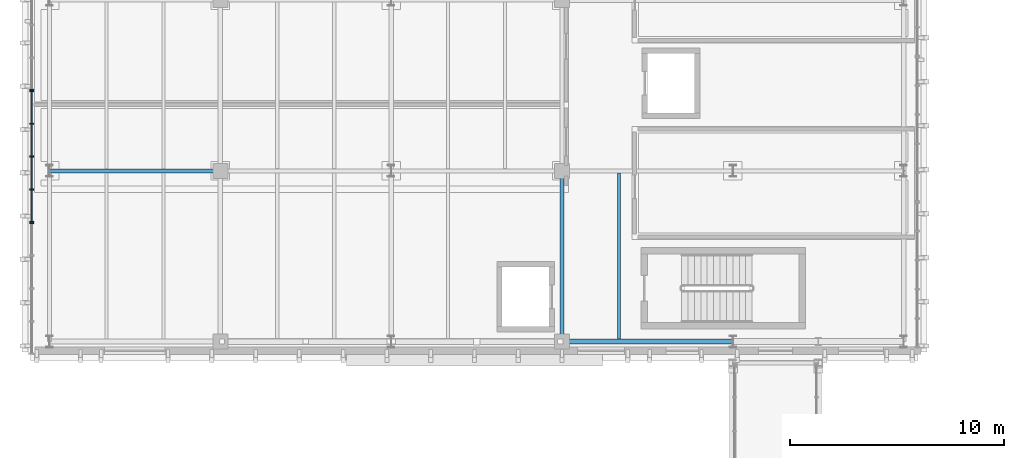
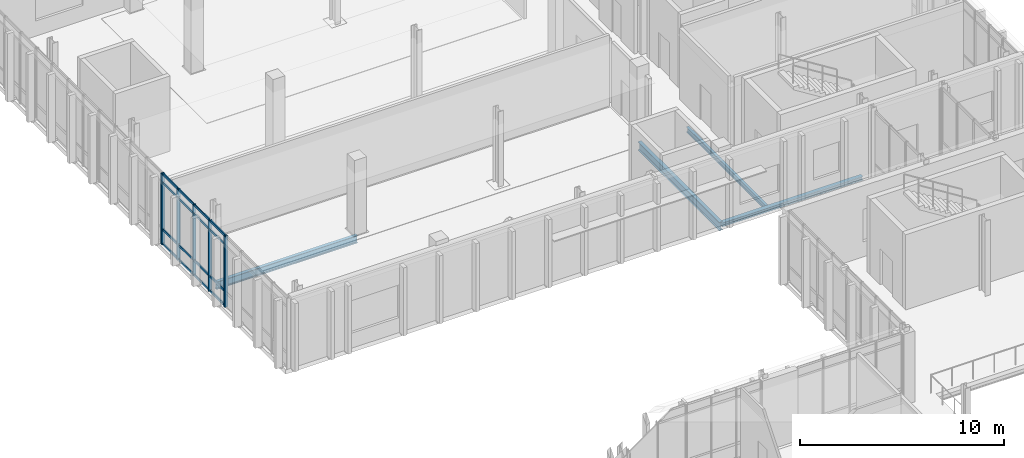
# One storey, part 19 of 100: 23 members, 4 beams, 3 elements without a shape of their own.
"""IFC4 building model written with IfcOpenShell, lengths in metres."""

from ifc_helpers import new_model, si_unit, direction, frame, origin, origin_2d, place, context, subcontext, project, spatial, rectangle, i_section, extrude, material, material_profile, profile_set, type_object, element, aggregate, save


model = new_model("IFC4")

# Units and contexts
model_context = context("Model", 3, precision=1e-05, world=origin(), true_north=direction((0.0, 1.0)))
body_context = subcontext(model_context, "Body", "Model", "MODEL_VIEW")
ifc_project = project(units=[si_unit("LENGTHUNIT", "METRE"), si_unit("AREAUNIT", "SQUARE_METRE"), si_unit("VOLUMEUNIT", "CUBIC_METRE"), si_unit("PLANEANGLEUNIT", "RADIAN"), si_unit("MASSUNIT", "GRAM", prefix="KILO")], contexts=[model_context])

# Site, building, storey
site_placement = place(None, origin())
site = spatial("IfcSite", under=ifc_project, at=site_placement, CompositionType="ELEMENT")
building_placement = place(site_placement, origin())
building = spatial("IfcBuilding", under=site, at=building_placement, Name="Cymarion Research Institute", CompositionType="ELEMENT")
storey_placement = place(building_placement, frame((0.0, 0.0, 4.800048828125)))
storey = spatial("IfcBuildingStorey", under=building, at=storey_placement, Name="L01", CompositionType="ELEMENT", Elevation=4.800048828125)

# Curtain wall, member
ifc_material_1 = material(Name="Anodised aluminium unitised curtain wall with Low-E glazing", Category="aluminium")
curtain_wall_type = type_object("IfcCurtainWallType", Name="UNITISED CURTAIN WALL CW22 6180X4250", PredefinedType="NOTDEFINED", material=ifc_material_1)
curtain_wall_1_placement = place(storey_placement, origin())
curtain_wall_1 = element("IfcCurtainWall", 1, at=curtain_wall_1_placement, inside=storey, type_object=curtain_wall_type, Name="L01 V4 unitised curtain wall CW22 #46", PredefinedType="NOTDEFINED")
ifc_material_2 = material(Name="Anodised aluminium framing", Category="aluminium")
ifc_material_profile_1 = material_profile(ifc_material_2, rectangle(XDim=0.06005859375, YDim=0.179931640625, at=origin_2d()), Name="ALU MULLION 60x180")
ifc_profile_set_1 = profile_set([ifc_material_profile_1], Name="Anodised aluminium framing")
member_type_1 = type_object("IfcMemberType", Name="CURTAIN WALL MULLION ML01 60X180", PredefinedType="MULLION", material=ifc_profile_set_1)
member_1_placement = place(storey_placement, frame((5.77001953125, 59.28125, 0.0), z_axis=(0.0, 0.0, 1.0), x_axis=(0.0, -1.0, 0.0)))
member_1 = element("IfcMember", 2, at=member_1_placement, type_object=member_type_1, Name="CW22 mullion 5", PredefinedType="MULLION", context=body_context, shape_type="SweptSolid", body=[
    extrude(rectangle(XDim=0.06005859375, YDim=0.179931640625, at=origin_2d()), origin(), (0.0, 0.0, 1.0), 4.25),
])
aggregate(curtain_wall_1, [member_1])

# Curtain wall, members
curtain_wall_2_placement = place(storey_placement, origin())
curtain_wall_2 = element("IfcCurtainWall", 3, at=curtain_wall_2_placement, inside=storey, type_object=curtain_wall_type, Name="L01 V4 unitised curtain wall CW22 #47", PredefinedType="NOTDEFINED")
member_2_placement = place(storey_placement, frame((5.77001953125, 59.22119140625, 0.0), z_axis=(0.0, 0.0, 1.0), x_axis=(0.0, -1.0, 0.0)))
member_2 = element("IfcMember", 4, at=member_2_placement, type_object=member_type_1, Name="CW22 mullion 1", PredefinedType="MULLION", context=body_context, shape_type="SweptSolid", body=[
    extrude(rectangle(XDim=0.06005859375, YDim=0.179931640625, at=origin_2d()), origin(), (0.0, 0.0, 1.0), 4.25),
])
member_3_placement = place(storey_placement, frame((5.77001953125, 57.707275390625, 0.0), z_axis=(0.0, 0.0, 1.0), x_axis=(0.0, -1.0, 0.0)))
member_3 = element("IfcMember", 5, at=member_3_placement, type_object=member_type_1, Name="CW22 mullion 2", PredefinedType="MULLION", context=body_context, shape_type="SweptSolid", body=[
    extrude(rectangle(XDim=0.06005859375, YDim=0.179931640625, at=origin_2d()), origin(), (0.0, 0.0, 1.0), 4.25),
])
member_4_placement = place(storey_placement, frame((5.77001953125, 56.163330078125, 0.0), z_axis=(0.0, 0.0, 1.0), x_axis=(0.0, -1.0, 0.0)))
member_4 = element("IfcMember", 6, at=member_4_placement, type_object=member_type_1, Name="CW22 mullion 3", PredefinedType="MULLION", context=body_context, shape_type="SweptSolid", body=[
    extrude(rectangle(XDim=0.06005859375, YDim=0.179931640625, at=origin_2d()), origin(), (0.0, 0.0, 1.0), 4.25),
])
member_5_placement = place(storey_placement, frame((5.77001953125, 54.619384765625, 0.0), z_axis=(0.0, 0.0, 1.0), x_axis=(0.0, -1.0, 0.0)))
member_5 = element("IfcMember", 7, at=member_5_placement, type_object=member_type_1, Name="CW22 mullion 4", PredefinedType="MULLION", context=body_context, shape_type="SweptSolid", body=[
    extrude(rectangle(XDim=0.06005859375, YDim=0.179931640625, at=origin_2d()), origin(), (0.0, 0.0, 1.0), 4.25),
])
member_6_placement = place(storey_placement, frame((5.77001953125, 53.105712890625, 0.0), z_axis=(0.0, 0.0, 1.0), x_axis=(0.0, -1.0, 0.0)))
member_6 = element("IfcMember", 8, at=member_6_placement, type_object=member_type_1, Name="CW22 mullion 5", PredefinedType="MULLION", context=body_context, shape_type="SweptSolid", body=[
    extrude(rectangle(XDim=0.06005859375, YDim=0.179931640625, at=origin_2d()), origin(), (0.0, 0.0, 1.0), 4.25),
])

# Curtain wall, member
curtain_wall_3_placement = place(storey_placement, origin())
curtain_wall_3 = element("IfcCurtainWall", 9, at=curtain_wall_3_placement, inside=storey, type_object=curtain_wall_type, Name="L01 V4 unitised curtain wall CW22 #48", PredefinedType="NOTDEFINED")
member_7_placement = place(storey_placement, frame((5.77001953125, 53.045654296875, 0.0), z_axis=(0.0, 0.0, 1.0), x_axis=(0.0, -1.0, 0.0)))
member_7 = element("IfcMember", 10, at=member_7_placement, type_object=member_type_1, Name="CW22 mullion 1", PredefinedType="MULLION", context=body_context, shape_type="SweptSolid", body=[
    extrude(rectangle(XDim=0.06005859375, YDim=0.179931640625, at=origin_2d()), origin(), (0.0, 0.0, 1.0), 4.25),
])
aggregate(curtain_wall_3, [member_7])

# Member
ifc_material_profile_2 = material_profile(ifc_material_2, rectangle(XDim=0.06005859375, YDim=0.14990234375, at=origin_2d()), Name="ALU TRANSOM 60x150")
ifc_profile_set_2 = profile_set([ifc_material_profile_2], Name="Anodised aluminium framing")
member_type_2 = type_object("IfcMemberType", Name="CURTAIN WALL TRANSOM TR01 60X150", PredefinedType="USERDEFINED", material=ifc_profile_set_2)
member_8_placement = place(storey_placement, frame((5.77001953125, 59.191162109375, 0.030029296875), z_axis=(0.0, -1.0, 0.0), x_axis=(1.0, 0.0, 0.0)))
member_8 = element("IfcMember", 11, at=member_8_placement, type_object=member_type_2, Name="CW22 transom 1.1", ObjectType="TRANSOM", PredefinedType="USERDEFINED", context=body_context, shape_type="SweptSolid", body=[
    extrude(rectangle(XDim=0.06005859375, YDim=0.14990234375, at=origin_2d()), origin(), (0.0, 0.0, 1.0), 1.453857421875),
])

member_9_placement = place(storey_placement, frame((5.77001953125, 59.191162109375, 0.89990234375), z_axis=(0.0, -1.0, 0.0), x_axis=(1.0, 0.0, 0.0)))
member_9 = element("IfcMember", 12, at=member_9_placement, type_object=member_type_2, Name="CW22 transom 1.2", ObjectType="TRANSOM", PredefinedType="USERDEFINED", context=body_context, shape_type="SweptSolid", body=[
    extrude(rectangle(XDim=0.06005859375, YDim=0.14990234375, at=origin_2d()), origin(), (0.0, 0.0, 1.0), 1.453857421875),
])

member_10_placement = place(storey_placement, frame((5.77001953125, 59.191162109375, 3.699951171875), z_axis=(0.0, -1.0, 0.0), x_axis=(1.0, 0.0, 0.0)))
member_10 = element("IfcMember", 13, at=member_10_placement, type_object=member_type_2, Name="CW22 transom 1.3", ObjectType="TRANSOM", PredefinedType="USERDEFINED", context=body_context, shape_type="SweptSolid", body=[
    extrude(rectangle(XDim=0.06005859375, YDim=0.14990234375, at=origin_2d()), origin(), (0.0, 0.0, 1.0), 1.453857421875),
])

member_11_placement = place(storey_placement, frame((5.77001953125, 59.191162109375, 4.219970703125), z_axis=(0.0, -1.0, 0.0), x_axis=(1.0, 0.0, 0.0)))
member_11 = element("IfcMember", 14, at=member_11_placement, type_object=member_type_2, Name="CW22 transom 1.4", ObjectType="TRANSOM", PredefinedType="USERDEFINED", context=body_context, shape_type="SweptSolid", body=[
    extrude(rectangle(XDim=0.06005859375, YDim=0.14990234375, at=origin_2d()), origin(), (0.0, 0.0, 1.0), 1.453857421875),
])

member_12_placement = place(storey_placement, frame((5.77001953125, 57.67724609375, 0.030029296875), z_axis=(0.0, -1.0, 0.0), x_axis=(1.0, 0.0, 0.0)))
member_12 = element("IfcMember", 15, at=member_12_placement, type_object=member_type_2, Name="CW22 transom 2.1", ObjectType="TRANSOM", PredefinedType="USERDEFINED", context=body_context, shape_type="SweptSolid", body=[
    extrude(rectangle(XDim=0.06005859375, YDim=0.14990234375, at=origin_2d()), origin(), (0.0, 0.0, 1.0), 1.48388671875),
])

member_13_placement = place(storey_placement, frame((5.77001953125, 57.67724609375, 0.89990234375), z_axis=(0.0, -1.0, 0.0), x_axis=(1.0, 0.0, 0.0)))
member_13 = element("IfcMember", 16, at=member_13_placement, type_object=member_type_2, Name="CW22 transom 2.2", ObjectType="TRANSOM", PredefinedType="USERDEFINED", context=body_context, shape_type="SweptSolid", body=[
    extrude(rectangle(XDim=0.06005859375, YDim=0.14990234375, at=origin_2d()), origin(), (0.0, 0.0, 1.0), 1.48388671875),
])

member_14_placement = place(storey_placement, frame((5.77001953125, 57.67724609375, 3.699951171875), z_axis=(0.0, -1.0, 0.0), x_axis=(1.0, 0.0, 0.0)))
member_14 = element("IfcMember", 17, at=member_14_placement, type_object=member_type_2, Name="CW22 transom 2.3", ObjectType="TRANSOM", PredefinedType="USERDEFINED", context=body_context, shape_type="SweptSolid", body=[
    extrude(rectangle(XDim=0.06005859375, YDim=0.14990234375, at=origin_2d()), origin(), (0.0, 0.0, 1.0), 1.48388671875),
])

member_15_placement = place(storey_placement, frame((5.77001953125, 57.67724609375, 4.219970703125), z_axis=(0.0, -1.0, 0.0), x_axis=(1.0, 0.0, 0.0)))
member_15 = element("IfcMember", 18, at=member_15_placement, type_object=member_type_2, Name="CW22 transom 2.4", ObjectType="TRANSOM", PredefinedType="USERDEFINED", context=body_context, shape_type="SweptSolid", body=[
    extrude(rectangle(XDim=0.06005859375, YDim=0.14990234375, at=origin_2d()), origin(), (0.0, 0.0, 1.0), 1.48388671875),
])

member_16_placement = place(storey_placement, frame((5.77001953125, 56.13330078125, 0.030029296875), z_axis=(0.0, -1.0, 0.0), x_axis=(1.0, 0.0, 0.0)))
member_16 = element("IfcMember", 19, at=member_16_placement, type_object=member_type_2, Name="CW22 transom 3.1", ObjectType="TRANSOM", PredefinedType="USERDEFINED", context=body_context, shape_type="SweptSolid", body=[
    extrude(rectangle(XDim=0.06005859375, YDim=0.14990234375, at=origin_2d()), origin(), (0.0, 0.0, 1.0), 1.48388671875),
])

member_17_placement = place(storey_placement, frame((5.77001953125, 56.13330078125, 0.89990234375), z_axis=(0.0, -1.0, 0.0), x_axis=(1.0, 0.0, 0.0)))
member_17 = element("IfcMember", 20, at=member_17_placement, type_object=member_type_2, Name="CW22 transom 3.2", ObjectType="TRANSOM", PredefinedType="USERDEFINED", context=body_context, shape_type="SweptSolid", body=[
    extrude(rectangle(XDim=0.06005859375, YDim=0.14990234375, at=origin_2d()), origin(), (0.0, 0.0, 1.0), 1.48388671875),
])

member_18_placement = place(storey_placement, frame((5.77001953125, 56.13330078125, 3.699951171875), z_axis=(0.0, -1.0, 0.0), x_axis=(1.0, 0.0, 0.0)))
member_18 = element("IfcMember", 21, at=member_18_placement, type_object=member_type_2, Name="CW22 transom 3.3", ObjectType="TRANSOM", PredefinedType="USERDEFINED", context=body_context, shape_type="SweptSolid", body=[
    extrude(rectangle(XDim=0.06005859375, YDim=0.14990234375, at=origin_2d()), origin(), (0.0, 0.0, 1.0), 1.48388671875),
])

member_19_placement = place(storey_placement, frame((5.77001953125, 56.13330078125, 4.219970703125), z_axis=(0.0, -1.0, 0.0), x_axis=(1.0, 0.0, 0.0)))
member_19 = element("IfcMember", 22, at=member_19_placement, type_object=member_type_2, Name="CW22 transom 3.4", ObjectType="TRANSOM", PredefinedType="USERDEFINED", context=body_context, shape_type="SweptSolid", body=[
    extrude(rectangle(XDim=0.06005859375, YDim=0.14990234375, at=origin_2d()), origin(), (0.0, 0.0, 1.0), 1.48388671875),
])

member_20_placement = place(storey_placement, frame((5.77001953125, 54.589599609375, 0.030029296875), z_axis=(0.0, -1.0, 0.0), x_axis=(1.0, 0.0, 0.0)))
member_20 = element("IfcMember", 23, at=member_20_placement, type_object=member_type_2, Name="CW22 transom 4.1", ObjectType="TRANSOM", PredefinedType="USERDEFINED", context=body_context, shape_type="SweptSolid", body=[
    extrude(rectangle(XDim=0.06005859375, YDim=0.14990234375, at=origin_2d()), origin(), (0.0, 0.0, 1.0), 1.4541015625),
])

member_21_placement = place(storey_placement, frame((5.77001953125, 54.589599609375, 0.89990234375), z_axis=(0.0, -1.0, 0.0), x_axis=(1.0, 0.0, 0.0)))
member_21 = element("IfcMember", 24, at=member_21_placement, type_object=member_type_2, Name="CW22 transom 4.2", ObjectType="TRANSOM", PredefinedType="USERDEFINED", context=body_context, shape_type="SweptSolid", body=[
    extrude(rectangle(XDim=0.06005859375, YDim=0.14990234375, at=origin_2d()), origin(), (0.0, 0.0, 1.0), 1.4541015625),
])

member_22_placement = place(storey_placement, frame((5.77001953125, 54.589599609375, 3.699951171875), z_axis=(0.0, -1.0, 0.0), x_axis=(1.0, 0.0, 0.0)))
member_22 = element("IfcMember", 25, at=member_22_placement, type_object=member_type_2, Name="CW22 transom 4.3", ObjectType="TRANSOM", PredefinedType="USERDEFINED", context=body_context, shape_type="SweptSolid", body=[
    extrude(rectangle(XDim=0.06005859375, YDim=0.14990234375, at=origin_2d()), origin(), (0.0, 0.0, 1.0), 1.4541015625),
])

member_23_placement = place(storey_placement, frame((5.77001953125, 54.589599609375, 4.219970703125), z_axis=(0.0, -1.0, 0.0), x_axis=(1.0, 0.0, 0.0)))
member_23 = element("IfcMember", 26, at=member_23_placement, type_object=member_type_2, Name="CW22 transom 4.4", ObjectType="TRANSOM", PredefinedType="USERDEFINED", context=body_context, shape_type="SweptSolid", body=[
    extrude(rectangle(XDim=0.06005859375, YDim=0.14990234375, at=origin_2d()), origin(), (0.0, 0.0, 1.0), 1.4541015625),
])

aggregate(curtain_wall_2, [member_2, member_3, member_4, member_5, member_6, member_8, member_9, member_10, member_11, member_12, member_13, member_14, member_15, member_16, member_17, member_18, member_19, member_20, member_21, member_22, member_23])

# Beams
ifc_material_3 = material(Name="Steel S355", Category="steel")
ifc_material_profile_3 = material_profile(ifc_material_3, i_section(OverallWidth=0.199951171875, OverallDepth=0.5, WebThickness=0.01025390625, FlangeThickness=0.01611328125, FilletRadius=0.02099609375, at=origin_2d()), Name="IPE 500")
ifc_profile_set_3 = profile_set([ifc_material_profile_3], Name="Steel S355")
beam_type_1 = type_object("IfcBeamType", Name="PRIMARY GIRDER BM03 IPE 500", PredefinedType="BEAM", material=ifc_profile_set_3)
beam_1_placement = place(storey_placement, frame((30.60009765625, 47.506103515625, -0.5), z_axis=(0.0, 1.0, 0.0), x_axis=(-1.0, 0.0, 0.0)))
element("IfcBeam", 27, at=beam_1_placement, inside=storey, type_object=beam_type_1, Name="L01 V4 girder BM03 #659", PredefinedType="BEAM", context=body_context, shape_type="SweptSolid", body=[
    extrude(i_section(OverallWidth=0.199951171875, OverallDepth=0.5, WebThickness=0.01025390625, FlangeThickness=0.01611328125, FilletRadius=0.02099609375, at=origin_2d()), origin(), (0.0, 0.0, 1.0), 7.98779296875),
])
ifc_material_profile_4 = material_profile(ifc_material_3, i_section(OverallWidth=0.18994140625, OverallDepth=0.449951171875, WebThickness=0.009521484375, FlangeThickness=0.0146484375, FilletRadius=0.02099609375, at=origin_2d()), Name="IPE 450")
ifc_profile_set_4 = profile_set([ifc_material_profile_4], Name="Steel S355")
beam_type_2 = type_object("IfcBeamType", Name="PRIMARY GIRDER BM04 IPE 450", PredefinedType="BEAM", material=ifc_profile_set_4)
beam_2_placement = place(storey_placement, frame((6.60595703125, 55.5, -0.47509765625), z_axis=(1.0, 0.0, 0.0), x_axis=(0.0, 1.0, 0.0)))
element("IfcBeam", 28, at=beam_2_placement, inside=storey, type_object=beam_type_2, Name="L01 V4 girder BM04 #627", PredefinedType="BEAM", context=body_context, shape_type="SweptSolid", body=[
    extrude(i_section(OverallWidth=0.18994140625, OverallDepth=0.449951171875, WebThickness=0.009521484375, FlangeThickness=0.0146484375, FilletRadius=0.02099609375, at=origin_2d()), origin(), (0.0, 0.0, 1.0), 7.988037109375),
])
ifc_material_profile_5 = material_profile(ifc_material_3, i_section(OverallWidth=0.14990234375, OverallDepth=0.300048828125, WebThickness=0.007080078125, FlangeThickness=0.0107421875, FilletRadius=0.014892578125, at=origin_2d()), Name="IPE 300")
ifc_profile_set_5 = profile_set([ifc_material_profile_5], Name="Steel S355")
beam_type_3 = type_object("IfcBeamType", Name="SECONDARY JOIST JS02 IPE 300", PredefinedType="JOIST", material=ifc_profile_set_5)
beam_3_placement = place(storey_placement, frame((33.2666015625, 47.6240234375, -0.400146484375), z_axis=(0.0, 1.0, 0.0), x_axis=(-1.0, 0.0, 0.0)))
element("IfcBeam", 29, at=beam_3_placement, inside=storey, type_object=beam_type_3, Name="L01 V4 secondary joist JS02 #674", PredefinedType="JOIST", context=body_context, shape_type="SweptSolid", body=[
    extrude(i_section(OverallWidth=0.14990234375, OverallDepth=0.300048828125, WebThickness=0.007080078125, FlangeThickness=0.0107421875, FilletRadius=0.014892578125, at=origin_2d()), origin(), (0.0, 0.0, 1.0), 7.77685546875),
])
ifc_material_profile_6 = material_profile(ifc_material_3, i_section(OverallWidth=0.239990234375, OverallDepth=0.22998046875, WebThickness=0.007568359375, FlangeThickness=0.011962890625, FilletRadius=0.02099609375, at=origin_2d()), Name="HEA 240")
ifc_profile_set_6 = profile_set([ifc_material_profile_6], Name="Steel S355")
beam_type_4 = type_object("IfcBeamType", Name="SPANDREL BEAM SPB03 HEA 240", PredefinedType="SPANDREL", material=ifc_profile_set_6)
beam_4_placement = place(storey_placement, frame((30.60595703125, 47.5, -0.364990234375), z_axis=(1.0, 0.0, 0.0), x_axis=(0.0, 1.0, 0.0)))
element("IfcBeam", 30, at=beam_4_placement, inside=storey, type_object=beam_type_4, Name="L01 V4 girder SPB03 #624", PredefinedType="SPANDREL", context=body_context, shape_type="SweptSolid", body=[
    extrude(i_section(OverallWidth=0.239990234375, OverallDepth=0.22998046875, WebThickness=0.007568359375, FlangeThickness=0.011962890625, FilletRadius=0.02099609375, at=origin_2d()), origin(), (0.0, 0.0, 1.0), 7.988037109375),
])

save(model, "model.ifc")
